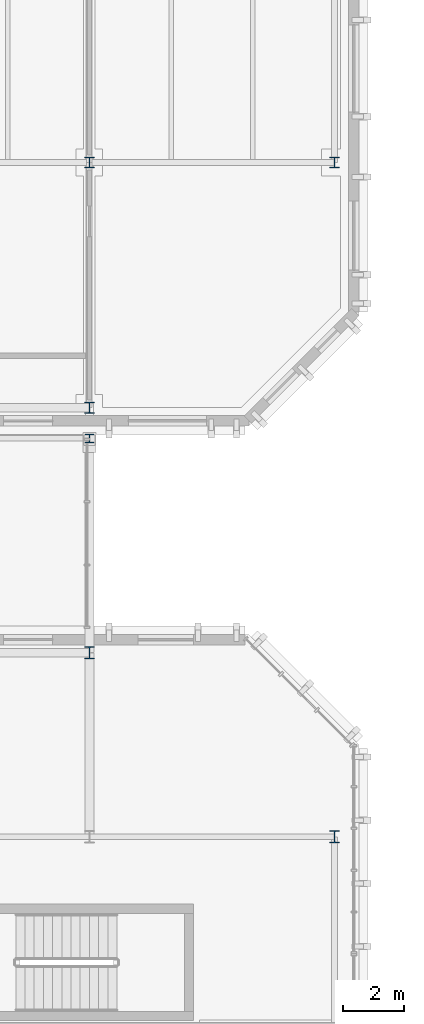
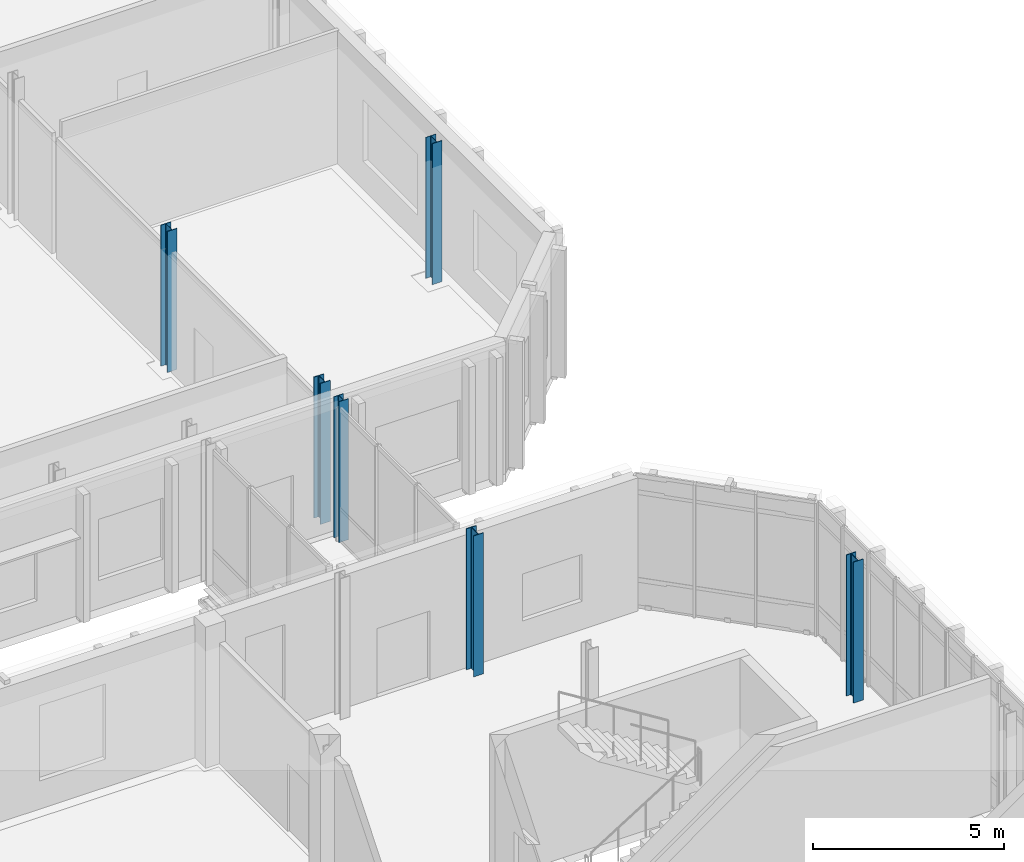
# One storey, part 11 of 100: 6 columns.
"""IFC4 building model written with IfcOpenShell, lengths in metres."""

from ifc_helpers import new_model, si_unit, direction, frame, origin, origin_2d, place, context, subcontext, project, spatial, i_section, extrude, material, material_profile, profile_set, type_object, element, save


model = new_model("IFC4")

# Units and contexts
model_context = context("Model", 3, precision=1e-05, world=origin(), true_north=direction((0.0, 1.0)))
body_context = subcontext(model_context, "Body", "Model", "MODEL_VIEW")
ifc_project = project(units=[si_unit("LENGTHUNIT", "METRE"), si_unit("AREAUNIT", "SQUARE_METRE"), si_unit("VOLUMEUNIT", "CUBIC_METRE"), si_unit("PLANEANGLEUNIT", "RADIAN"), si_unit("MASSUNIT", "GRAM", prefix="KILO")], contexts=[model_context])

# Site, building, storey
site_placement = place(None, origin())
site = spatial("IfcSite", under=ifc_project, at=site_placement, CompositionType="ELEMENT")
building_placement = place(site_placement, origin())
building = spatial("IfcBuilding", under=site, at=building_placement, Name="Cymarion Research Institute", CompositionType="ELEMENT")
storey_placement = place(building_placement, frame((0.0, 0.0, 9.300048828125)))
storey = spatial("IfcBuildingStorey", under=building, at=storey_placement, Name="L02", CompositionType="ELEMENT", Elevation=9.300048828125)

# Columns
ifc_material = material(Name="Steel S355", Category="steel")
ifc_material_profile_1 = material_profile(ifc_material, i_section(OverallWidth=0.300048828125, OverallDepth=0.39990234375, WebThickness=0.013427734375, FlangeThickness=0.02392578125, FilletRadius=0.027099609375, at=origin_2d()), Name="HEB 400")
ifc_profile_set_1 = profile_set([ifc_material_profile_1], Name="Steel S355")
column_type_1 = type_object("IfcColumnType", Name="STRUCTURAL COLUMN C06 HEB 400", PredefinedType="COLUMN", material=ifc_profile_set_1)
for number, where, z_axis, x_axis, name in (
    (1, (38.60009765625, 77.5, 0.0), (0.0, 0.0, 1.0), (1.0, 0.0, 0.0), "L02 V4 column C06 #735"),
    (2, (46.60009765625, 71.5, 0.0), (0.0, 0.0, 1.0), (1.0, 0.0, 0.0), "L02 V4 column C06 #754"),
):
    element("IfcColumn", number, at=place(storey_placement, frame(where, z_axis=z_axis, x_axis=x_axis)), inside=storey, type_object=column_type_1, Name=name, PredefinedType="COLUMN", context=body_context, shape_type="SweptSolid", body=[
        extrude(i_section(OverallWidth=0.300048828125, OverallDepth=0.39990234375, WebThickness=0.013427734375, FlangeThickness=0.02392578125, FilletRadius=0.027099609375, at=origin_2d()), origin(), (0.0, 0.0, 1.0), 4.5),
    ])
ifc_material_profile_2 = material_profile(ifc_material, i_section(OverallWidth=0.300048828125, OverallDepth=0.360107421875, WebThickness=0.012451171875, FlangeThickness=0.0224609375, FilletRadius=0.027099609375, at=origin_2d()), Name="HEB 360")
ifc_profile_set_2 = profile_set([ifc_material_profile_2], Name="Steel S355")
column_type_2 = type_object("IfcColumnType", Name="STRUCTURAL COLUMN C07 HEB 360", PredefinedType="COLUMN", material=ifc_profile_set_2)
column_1_placement = place(storey_placement, frame((38.60009765625, 85.5, 0.0), z_axis=(0.0, 0.0, 1.0), x_axis=(1.0, 0.0, 0.0)))
element("IfcColumn", 3, at=column_1_placement, inside=storey, type_object=column_type_2, Name="L02 V5 column C07 #737", PredefinedType="COLUMN", context=body_context, shape_type="SweptSolid", body=[
    extrude(i_section(OverallWidth=0.300048828125, OverallDepth=0.360107421875, WebThickness=0.012451171875, FlangeThickness=0.0224609375, FilletRadius=0.027099609375, at=origin_2d()), origin(), (0.0, 0.0, 1.0), 4.5),
])
ifc_material_profile_3 = material_profile(ifc_material, i_section(OverallWidth=0.280029296875, OverallDepth=0.280029296875, WebThickness=0.010498046875, FlangeThickness=0.01806640625, FilletRadius=0.02392578125, at=origin_2d()), Name="HEB 280")
ifc_profile_set_3 = profile_set([ifc_material_profile_3], Name="Steel S355")
column_type_3 = type_object("IfcColumnType", Name="STRUCTURAL COLUMN C09 HEB 280", PredefinedType="COLUMN", material=ifc_profile_set_3)
column_2_placement = place(storey_placement, frame((38.60009765625, 84.5, 0.0), z_axis=(0.0, 0.0, 1.0), x_axis=(1.0, 0.0, 0.0)))
element("IfcColumn", 4, at=column_2_placement, inside=storey, type_object=column_type_3, Name="L02 V4 column C09 #736", PredefinedType="COLUMN", context=body_context, shape_type="SweptSolid", body=[
    extrude(i_section(OverallWidth=0.280029296875, OverallDepth=0.280029296875, WebThickness=0.010498046875, FlangeThickness=0.01806640625, FilletRadius=0.02392578125, at=origin_2d()), origin(), (0.0, 0.0, 1.0), 4.5),
])
ifc_material_profile_4 = material_profile(ifc_material, i_section(OverallWidth=0.300048828125, OverallDepth=0.35009765625, WebThickness=0.010009765625, FlangeThickness=0.017578125, FilletRadius=0.027099609375, at=origin_2d()), Name="HEA 360")
ifc_profile_set_4 = profile_set([ifc_material_profile_4], Name="Steel S355")
column_type_4 = type_object("IfcColumnType", Name="STRUCTURAL COLUMN C12 HEA 360", PredefinedType="COLUMN", material=ifc_profile_set_4)
for number, where, z_axis, x_axis, name in (
    (5, (38.60009765625, 93.5, 0.0), (0.0, 0.0, 1.0), (1.0, 0.0, 0.0), "L02 V5 column C12 #738"),
    (6, (46.60009765625, 93.5, 0.0), (0.0, 0.0, 1.0), (1.0, 0.0, 0.0), "L02 V5 column C12 #755"),
):
    element("IfcColumn", number, at=place(storey_placement, frame(where, z_axis=z_axis, x_axis=x_axis)), inside=storey, type_object=column_type_4, Name=name, PredefinedType="COLUMN", context=body_context, shape_type="SweptSolid", body=[
        extrude(i_section(OverallWidth=0.300048828125, OverallDepth=0.35009765625, WebThickness=0.010009765625, FlangeThickness=0.017578125, FilletRadius=0.027099609375, at=origin_2d()), origin(), (0.0, 0.0, 1.0), 4.5),
    ])

save(model, "model.ifc")
